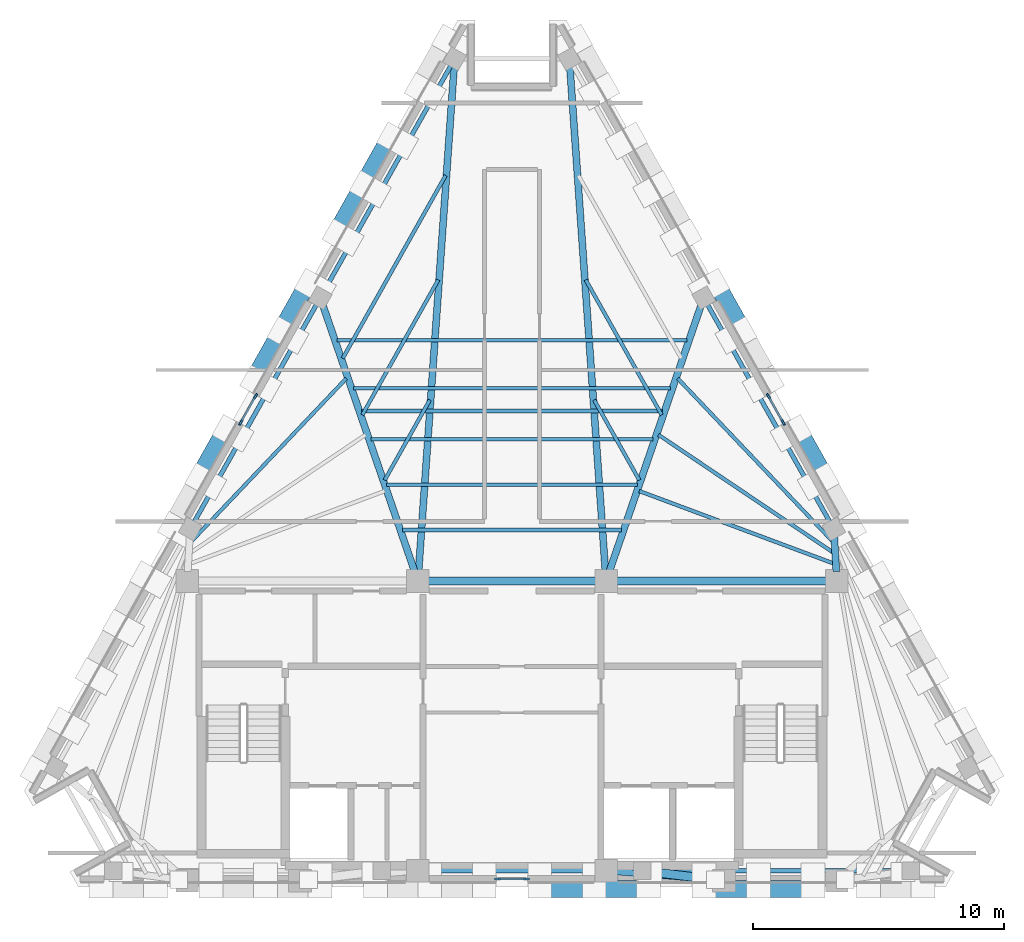
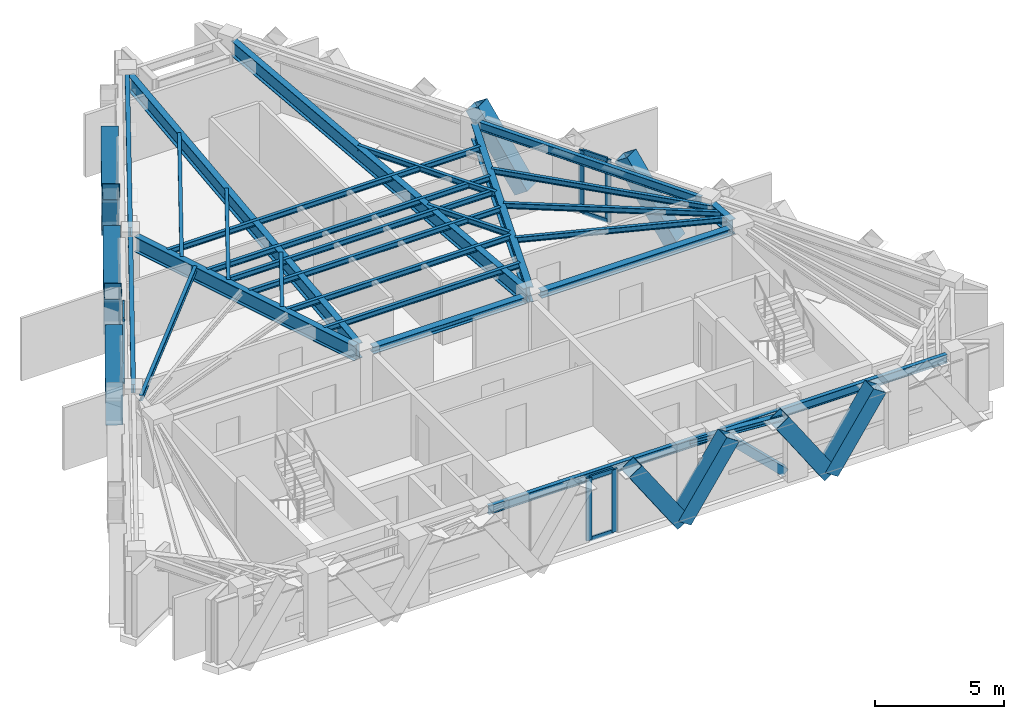
# One storey, part 2 of 7: 28 beams, 24 members, 3 elements without a shape of their own.
"""IFC4 building model written with IfcOpenShell, lengths in metres."""

from ifc_helpers import new_model, si_unit, direction, frame, origin, origin_2d, place, context, subcontext, project, spatial, rectangle, hollow_rectangle, i_section, extrude, material, material_profile, profile_set, type_object, element, aggregate, save


model = new_model("IFC4")

# Units and contexts
model_context = context("Model", 3, precision=1e-05, world=origin(), true_north=direction((0.0, 1.0)))
body_context = subcontext(model_context, "Body", "Model", "MODEL_VIEW")
ifc_project = project(units=[si_unit("LENGTHUNIT", "METRE"), si_unit("AREAUNIT", "SQUARE_METRE"), si_unit("VOLUMEUNIT", "CUBIC_METRE"), si_unit("PLANEANGLEUNIT", "RADIAN"), si_unit("MASSUNIT", "GRAM", prefix="KILO")], contexts=[model_context])

# Site, building, storey
site_placement = place(None, origin())
site = spatial("IfcSite", under=ifc_project, at=site_placement, CompositionType="ELEMENT")
building_placement = place(site_placement, origin())
building = spatial("IfcBuilding", under=site, at=building_placement, Name="Quenlor Broadcast Tower", CompositionType="ELEMENT")
storey_placement = place(building_placement, frame((0.0, 0.0, 280.5)))
storey = spatial("IfcBuildingStorey", under=building, at=storey_placement, Name="L78", CompositionType="ELEMENT", Elevation=280.5)

# Curtain wall, members
ifc_material_1 = material(Name="Architectural Terracotta and Low-E Glazing", Category="masonry")
curtain_wall_type = type_object("IfcCurtainWallType", Name="Station Concourse and Crown Terracotta Curtain Wall", PredefinedType="NOTDEFINED", material=ifc_material_1)
curtain_wall_1_placement = place(storey_placement, origin())
curtain_wall_1 = element("IfcCurtainWall", 1, at=curtain_wall_1_placement, inside=storey, type_object=curtain_wall_type, Name="L78 Curtain Wall CW6 (L78-S-G1)", PredefinedType="NOTDEFINED")
ifc_material_2 = material(Name="Aluminium 6063-T6", Category="aluminium")
ifc_material_profile_1 = material_profile(ifc_material_2, rectangle(XDim=0.08203125, YDim=0.239990234375, at=origin_2d()))
ifc_profile_set_1 = profile_set([ifc_material_profile_1], Name="Aluminium 6063-T6 MULL82x240")
member_type_1 = type_object("IfcMemberType", Name="CW6 Aluminium Mullion MULL_CW6", PredefinedType="MULLION", material=ifc_profile_set_1)
member_1_placement = place(storey_placement, frame((0.573974609375, -16.675048828125, 0.0), z_axis=(0.0, 0.0, 1.0), x_axis=(0.0, -1.0, 0.0)))
member_1 = element("IfcMember", 2, at=member_1_placement, type_object=member_type_1, Name="CW6 mullion 1", PredefinedType="MULLION", context=body_context, shape_type="SweptSolid", body=[
    extrude(rectangle(XDim=0.08203125, YDim=0.239990234375, at=origin_2d()), origin(), (0.0, 0.0, 1.0), 2.949951171875),
])
member_2_placement = place(storey_placement, frame((-0.573974609375, -16.675048828125, 0.0), z_axis=(0.0, 0.0, 1.0), x_axis=(0.0, -1.0, 0.0)))
member_2 = element("IfcMember", 3, at=member_2_placement, type_object=member_type_1, Name="CW6 mullion 2", PredefinedType="MULLION", context=body_context, shape_type="SweptSolid", body=[
    extrude(rectangle(XDim=0.08203125, YDim=0.239990234375, at=origin_2d()), origin(), (0.0, 0.0, 1.0), 2.949951171875),
])

curtain_wall_2_placement = place(storey_placement, origin())
curtain_wall_2 = element("IfcCurtainWall", 4, at=curtain_wall_2_placement, inside=storey, type_object=curtain_wall_type, Name="L78 Curtain Wall CW6 (L78-NE-G1)", PredefinedType="NOTDEFINED")
member_3_placement = place(storey_placement, frame((10.22314453125, 2.5625, 0.0), z_axis=(0.0, 0.0, 1.0), x_axis=(0.871552571349, 0.490302065441, 0.0)))
member_3 = element("IfcMember", 5, at=member_3_placement, type_object=member_type_1, Name="CW6 mullion 1", PredefinedType="MULLION", context=body_context, shape_type="SweptSolid", body=[
    extrude(rectangle(XDim=0.08203125, YDim=0.239990234375, at=origin_2d()), origin(), (0.0, 0.0, 1.0), 2.949951171875),
])
member_4_placement = place(storey_placement, frame((10.810302734375, 1.51904296875, 0.0), z_axis=(0.0, 0.0, 1.0), x_axis=(0.871552571349, 0.490302065441, 0.0)))
member_4 = element("IfcMember", 6, at=member_4_placement, type_object=member_type_1, Name="CW6 mullion 2", PredefinedType="MULLION", context=body_context, shape_type="SweptSolid", body=[
    extrude(rectangle(XDim=0.08203125, YDim=0.239990234375, at=origin_2d()), origin(), (0.0, 0.0, 1.0), 2.949951171875),
])

curtain_wall_3_placement = place(storey_placement, origin())
curtain_wall_3 = element("IfcCurtainWall", 7, at=curtain_wall_3_placement, inside=storey, type_object=curtain_wall_type, Name="L78 Curtain Wall CW6 (L78-NW-G1)", PredefinedType="NOTDEFINED")
member_5_placement = place(storey_placement, frame((-10.810302734375, 1.51904296875, 0.0), z_axis=(0.0, 0.0, 1.0), x_axis=(-0.871552571349, 0.490302065441, 0.0)))
member_5 = element("IfcMember", 8, at=member_5_placement, type_object=member_type_1, Name="CW6 mullion 1", PredefinedType="MULLION", context=body_context, shape_type="SweptSolid", body=[
    extrude(rectangle(XDim=0.08203125, YDim=0.239990234375, at=origin_2d()), origin(), (0.0, 0.0, 1.0), 2.949951171875),
])
member_6_placement = place(storey_placement, frame((-10.22314453125, 2.5625, 0.0), z_axis=(0.0, 0.0, 1.0), x_axis=(-0.871552571349, 0.490302065441, 0.0)))
member_6 = element("IfcMember", 9, at=member_6_placement, type_object=member_type_1, Name="CW6 mullion 2", PredefinedType="MULLION", context=body_context, shape_type="SweptSolid", body=[
    extrude(rectangle(XDim=0.08203125, YDim=0.239990234375, at=origin_2d()), origin(), (0.0, 0.0, 1.0), 2.949951171875),
])

# Member
ifc_material_3 = material(Name="Aluminium 6063-T6", Category="aluminium")
ifc_material_profile_2 = material_profile(ifc_material_3, rectangle(XDim=0.08203125, YDim=0.195068359375, at=origin_2d()))
ifc_profile_set_2 = profile_set([ifc_material_profile_2], Name="Aluminium 6063-T6 TRAN82x195")
member_type_2 = type_object("IfcMemberType", Name="CW6 Aluminium Transom TRAN_CW6", PredefinedType="USERDEFINED", material=ifc_profile_set_2)
member_7_placement = place(storey_placement, frame((0.532958984375, -16.675048828125, 0.041015625), z_axis=(-1.0, 0.0, 0.0), x_axis=(0.0, -1.0, 0.0)))
member_7 = element("IfcMember", 10, at=member_7_placement, type_object=member_type_2, Name="CW6 transom 1.1", ObjectType="TRANSOM", PredefinedType="USERDEFINED", context=body_context, shape_type="SweptSolid", body=[
    extrude(rectangle(XDim=0.08203125, YDim=0.195068359375, at=origin_2d()), origin(), (0.0, 0.0, 1.0), 1.06591796875),
])

member_8_placement = place(storey_placement, frame((0.532958984375, -16.675048828125, 2.908935546875), z_axis=(-1.0, 0.0, 0.0), x_axis=(0.0, -1.0, 0.0)))
member_8 = element("IfcMember", 11, at=member_8_placement, type_object=member_type_2, Name="CW6 transom 1.2", ObjectType="TRANSOM", PredefinedType="USERDEFINED", context=body_context, shape_type="SweptSolid", body=[
    extrude(rectangle(XDim=0.08203125, YDim=0.195068359375, at=origin_2d()), origin(), (0.0, 0.0, 1.0), 1.06591796875),
])

aggregate(curtain_wall_1, [member_1, member_2, member_7, member_8])

member_9_placement = place(storey_placement, frame((10.243408203125, 2.526611328125, 0.041015625), z_axis=(0.490209264597, -0.871604771042, 0.0), x_axis=(0.871604771042, 0.490209264597, 0.0)))
member_9 = element("IfcMember", 12, at=member_9_placement, type_object=member_type_2, Name="CW6 transom 1.1", ObjectType="TRANSOM", PredefinedType="USERDEFINED", context=body_context, shape_type="SweptSolid", body=[
    extrude(rectangle(XDim=0.08203125, YDim=0.195068359375, at=origin_2d()), origin(), (0.0, 0.0, 1.0), 1.114990234375),
])

member_10_placement = place(storey_placement, frame((10.243408203125, 2.526611328125, 2.908935546875), z_axis=(0.490209264597, -0.871604771042, 0.0), x_axis=(0.871604771042, 0.490209264597, 0.0)))
member_10 = element("IfcMember", 13, at=member_10_placement, type_object=member_type_2, Name="CW6 transom 1.2", ObjectType="TRANSOM", PredefinedType="USERDEFINED", context=body_context, shape_type="SweptSolid", body=[
    extrude(rectangle(XDim=0.08203125, YDim=0.195068359375, at=origin_2d()), origin(), (0.0, 0.0, 1.0), 1.114990234375),
])

aggregate(curtain_wall_2, [member_3, member_4, member_9, member_10])

member_11_placement = place(storey_placement, frame((-10.7900390625, 1.5546875, 0.041015625), z_axis=(0.490209264597, 0.871604771042, 0.0), x_axis=(-0.871604771042, 0.490209264597, 0.0)))
member_11 = element("IfcMember", 14, at=member_11_placement, type_object=member_type_2, Name="CW6 transom 1.1", ObjectType="TRANSOM", PredefinedType="USERDEFINED", context=body_context, shape_type="SweptSolid", body=[
    extrude(rectangle(XDim=0.08203125, YDim=0.195068359375, at=origin_2d()), origin(), (0.0, 0.0, 1.0), 1.114990234375),
])

member_12_placement = place(storey_placement, frame((-10.7900390625, 1.5546875, 2.908935546875), z_axis=(0.490209264597, 0.871604771042, 0.0), x_axis=(-0.871604771042, 0.490209264597, 0.0)))
member_12 = element("IfcMember", 15, at=member_12_placement, type_object=member_type_2, Name="CW6 transom 1.2", ObjectType="TRANSOM", PredefinedType="USERDEFINED", context=body_context, shape_type="SweptSolid", body=[
    extrude(rectangle(XDim=0.08203125, YDim=0.195068359375, at=origin_2d()), origin(), (0.0, 0.0, 1.0), 1.114990234375),
])

aggregate(curtain_wall_3, [member_5, member_6, member_11, member_12])

# Beams
ifc_material_4 = material(Name="Steel S355", Category="steel")
ifc_material_profile_3 = material_profile(ifc_material_4, i_section(OverallWidth=0.304931640625, OverallDepth=0.30810546875, WebThickness=0.010009765625, FlangeThickness=0.015380859375, FilletRadius=0.0166015625, at=origin_2d()))
ifc_profile_set_3 = profile_set([ifc_material_profile_3], Name="Steel S355 310UC96.8")
beam_type_1 = type_object("IfcBeamType", Name="Core Header Beam Steel S355 310UC96.8", PredefinedType="BEAM", material=ifc_profile_set_3)
beam_1_placement = place(storey_placement, frame((-3.389892578125, -4.800048828125, 2.7958984375), z_axis=(1.0, 0.0, 0.0), x_axis=(0.0, 1.0, 0.0)))
element("IfcBeam", 16, at=beam_1_placement, inside=storey, type_object=beam_type_1, Name="L78 Core Header Beam 2", PredefinedType="BEAM", context=body_context, shape_type="SweptSolid", body=[
    extrude(i_section(OverallWidth=0.304931640625, OverallDepth=0.30810546875, WebThickness=0.010009765625, FlangeThickness=0.015380859375, FilletRadius=0.0166015625, at=origin_2d()), origin(), (0.0, 0.0, 1.0), 6.77978515625),
])
ifc_material_5 = material(Name="Steel S355", Category="steel")
ifc_material_profile_4 = material_profile(ifc_material_5, i_section(OverallWidth=0.25390625, OverallDepth=0.25390625, WebThickness=0.008544921875, FlangeThickness=0.01416015625, FilletRadius=0.013916015625, at=origin_2d()))
ifc_profile_set_4 = profile_set([ifc_material_profile_4], Name="Steel S355 250UC72.9")
beam_type_2 = type_object("IfcBeamType", Name="Core Opening Lintel Beam Steel S355 250UC72.9", PredefinedType="LINTEL", material=ifc_profile_set_4)
beam_2_placement = place(storey_placement, frame((4.108642578125, -16.380615234375, 2.822998046875), z_axis=(0.996399763903, -0.084779186679, 0.0), x_axis=(0.084779186679, 0.996399763903, 0.0)))
element("IfcBeam", 17, at=beam_2_placement, inside=storey, type_object=beam_type_2, Name="L78 Core Opening Lintel Beam 5", PredefinedType="LINTEL", context=body_context, shape_type="SweptSolid", body=[
    extrude(i_section(OverallWidth=0.25390625, OverallDepth=0.25390625, WebThickness=0.008544921875, FlangeThickness=0.01416015625, FilletRadius=0.013916015625, at=origin_2d()), origin(), (0.0, 0.0, 1.0), 3.9970703125),
])
ifc_material_6 = material(Name="Steel S355", Category="steel")
ifc_material_profile_5 = material_profile(ifc_material_6, i_section(OverallWidth=0.306884765625, OverallDepth=0.314697265625, WebThickness=0.011962890625, FlangeThickness=0.018798828125, FilletRadius=0.0166015625, at=origin_2d()))
ifc_profile_set_5 = profile_set([ifc_material_profile_5], Name="Steel S355 310UC118")
beam_type_3 = type_object("IfcBeamType", Name="Core Tie Beam Steel S355 310UC118", PredefinedType="BEAM", material=ifc_profile_set_5)
beam_3_placement = place(storey_placement, frame((4.110107421875, -4.800048828125, 2.792724609375), z_axis=(1.0, 0.0, 0.0), x_axis=(0.0, 1.0, 0.0)))
element("IfcBeam", 18, at=beam_3_placement, inside=storey, type_object=beam_type_3, Name="L78 Core Tie Beam 3", PredefinedType="BEAM", context=body_context, shape_type="SweptSolid", body=[
    extrude(i_section(OverallWidth=0.306884765625, OverallDepth=0.314697265625, WebThickness=0.011962890625, FlangeThickness=0.018798828125, FilletRadius=0.0166015625, at=origin_2d()), origin(), (0.0, 0.0, 1.0), 8.47998046875),
])
ifc_material_7 = material(Name="Steel S355", Category="steel")
ifc_material_profile_6 = material_profile(ifc_material_7, i_section(OverallWidth=0.14599609375, OverallDepth=0.256103515625, WebThickness=0.00634765625, FlangeThickness=0.010986328125, FilletRadius=0.0087890625, at=origin_2d()))
ifc_profile_set_6 = profile_set([ifc_material_profile_6], Name="Steel S355 250UB37.3")
beam_type_4 = type_object("IfcBeamType", Name="Crown Deck Joist Steel S355 250UB37.3", PredefinedType="JOIST", material=ifc_profile_set_6)
beam_4_placement = place(storey_placement, frame((-4.37060546875, -2.767822265625, 2.822021484375), z_axis=(1.0, 0.0, 0.0), x_axis=(0.0, 1.0, 0.0)))
element("IfcBeam", 19, at=beam_4_placement, inside=storey, type_object=beam_type_4, Name="L78 Secondary Composite Joist 1", PredefinedType="JOIST", context=body_context, shape_type="SweptSolid", body=[
    extrude(i_section(OverallWidth=0.14599609375, OverallDepth=0.256103515625, WebThickness=0.00634765625, FlangeThickness=0.010986328125, FilletRadius=0.0087890625, at=origin_2d()), origin(), (0.0, 0.0, 1.0), 8.7412109375),
])
beam_5_placement = place(storey_placement, frame((-6.0048828125, 1.9736328125, 2.822021484375), z_axis=(1.0, 0.0, 0.0), x_axis=(0.0, 1.0, 0.0)))
element("IfcBeam", 20, at=beam_5_placement, inside=storey, type_object=beam_type_4, Name="L78 Secondary Composite Joist 2", PredefinedType="JOIST", context=body_context, shape_type="SweptSolid", body=[
    extrude(i_section(OverallWidth=0.14599609375, OverallDepth=0.256103515625, WebThickness=0.00634765625, FlangeThickness=0.010986328125, FilletRadius=0.0087890625, at=origin_2d()), origin(), (0.0, 0.0, 1.0), 12.009765625),
])
beam_6_placement = place(storey_placement, frame((-4.9931640625, -0.961669921875, 2.822021484375), z_axis=(1.0, 0.0, 0.0), x_axis=(0.0, 1.0, 0.0)))
element("IfcBeam", 21, at=beam_6_placement, inside=storey, type_object=beam_type_4, Name="L78 Secondary Composite Joist 3", PredefinedType="JOIST", context=body_context, shape_type="SweptSolid", body=[
    extrude(i_section(OverallWidth=0.14599609375, OverallDepth=0.256103515625, WebThickness=0.00634765625, FlangeThickness=0.010986328125, FilletRadius=0.0087890625, at=origin_2d()), origin(), (0.0, 0.0, 1.0), 9.986328125),
])
beam_7_placement = place(storey_placement, frame((-5.61572265625, 0.8447265625, 2.822021484375), z_axis=(1.0, 0.0, 0.0), x_axis=(0.0, 1.0, 0.0)))
element("IfcBeam", 22, at=beam_7_placement, inside=storey, type_object=beam_type_4, Name="L78 Secondary Composite Joist 4", PredefinedType="JOIST", context=body_context, shape_type="SweptSolid", body=[
    extrude(i_section(OverallWidth=0.14599609375, OverallDepth=0.256103515625, WebThickness=0.00634765625, FlangeThickness=0.010986328125, FilletRadius=0.0087890625, at=origin_2d()), origin(), (0.0, 0.0, 1.0), 11.2314453125),
])
beam_8_placement = place(storey_placement, frame((-6.316162109375, 2.876708984375, 2.822021484375), z_axis=(1.0, 0.0, 0.0), x_axis=(0.0, 1.0, 0.0)))
element("IfcBeam", 23, at=beam_8_placement, inside=storey, type_object=beam_type_4, Name="L78 Secondary Composite Joist 5", PredefinedType="JOIST", context=body_context, shape_type="SweptSolid", body=[
    extrude(i_section(OverallWidth=0.14599609375, OverallDepth=0.256103515625, WebThickness=0.00634765625, FlangeThickness=0.010986328125, FilletRadius=0.0087890625, at=origin_2d()), origin(), (0.0, 0.0, 1.0), 12.63232421875),
])
beam_9_placement = place(storey_placement, frame((-6.977783203125, 4.7958984375, 2.822021484375), z_axis=(1.0, 0.0, 0.0), x_axis=(0.0, 1.0, 0.0)))
element("IfcBeam", 24, at=beam_9_placement, inside=storey, type_object=beam_type_4, Name="L78 Secondary Composite Joist 6", PredefinedType="JOIST", context=body_context, shape_type="SweptSolid", body=[
    extrude(i_section(OverallWidth=0.14599609375, OverallDepth=0.256103515625, WebThickness=0.00634765625, FlangeThickness=0.010986328125, FilletRadius=0.0087890625, at=origin_2d()), origin(), (0.0, 0.0, 1.0), 13.95556640625),
])
beam_10_placement = place(storey_placement, frame((-12.80517578125, -3.249267578125, 2.822021484375), z_axis=(0.689023306429, 0.724739182877, 0.0), x_axis=(-0.724739182877, 0.689023306429, 0.0)))
element("IfcBeam", 25, at=beam_10_placement, inside=storey, type_object=beam_type_4, Name="L78 Secondary Composite Joist 9", PredefinedType="JOIST", context=body_context, shape_type="SweptSolid", body=[
    extrude(i_section(OverallWidth=0.14599609375, OverallDepth=0.256103515625, WebThickness=0.00634765625, FlangeThickness=0.010986328125, FilletRadius=0.0087890625, at=origin_2d()), origin(), (0.0, 0.0, 1.0), 8.99560546875),
])
beam_11_placement = place(storey_placement, frame((12.835205078125, -4.108642578125, 2.822021484375), z_axis=(-0.937062080226, 0.349162795559, 0.0), x_axis=(-0.349162795559, -0.937062080226, 0.0)))
element("IfcBeam", 26, at=beam_11_placement, inside=storey, type_object=beam_type_4, Name="L78 Secondary Composite Joist 10", PredefinedType="JOIST", context=body_context, shape_type="SweptSolid", body=[
    extrude(i_section(OverallWidth=0.14599609375, OverallDepth=0.256103515625, WebThickness=0.00634765625, FlangeThickness=0.010986328125, FilletRadius=0.0087890625, at=origin_2d()), origin(), (0.0, 0.0, 1.0), 8.286376953125),
])
beam_12_placement = place(storey_placement, frame((12.81884765625, -3.67724609375, 2.822021484375), z_axis=(-0.829286301475, 0.558823970661, 0.0), x_axis=(-0.558823970661, -0.829286301475, 0.0)))
element("IfcBeam", 27, at=beam_12_placement, inside=storey, type_object=beam_type_4, Name="L78 Secondary Composite Joist 11", PredefinedType="JOIST", context=body_context, shape_type="SweptSolid", body=[
    extrude(i_section(OverallWidth=0.14599609375, OverallDepth=0.256103515625, WebThickness=0.00634765625, FlangeThickness=0.010986328125, FilletRadius=0.0087890625, at=origin_2d()), origin(), (0.0, 0.0, 1.0), 8.415771484375),
])
beam_13_placement = place(storey_placement, frame((12.80517578125, -3.249267578125, 2.822021484375), z_axis=(-0.689023306429, 0.724739182877, 0.0), x_axis=(-0.724739182877, -0.689023306429, 0.0)))
element("IfcBeam", 28, at=beam_13_placement, inside=storey, type_object=beam_type_4, Name="L78 Secondary Composite Joist 12", PredefinedType="JOIST", context=body_context, shape_type="SweptSolid", body=[
    extrude(i_section(OverallWidth=0.14599609375, OverallDepth=0.256103515625, WebThickness=0.00634765625, FlangeThickness=0.010986328125, FilletRadius=0.0087890625, at=origin_2d()), origin(), (0.0, 0.0, 1.0), 8.99560546875),
])
beam_14_placement = place(storey_placement, frame((-3.2763671875, 2.41455078125, 2.822021484375), z_axis=(-0.490258076222, -0.871577316535, 0.0), x_axis=(0.871577316535, -0.490258076222, 0.0)))
element("IfcBeam", 29, at=beam_14_placement, inside=storey, type_object=beam_type_4, Name="L78 Secondary Composite Joist 25", PredefinedType="JOIST", context=body_context, shape_type="SweptSolid", body=[
    extrude(i_section(OverallWidth=0.14599609375, OverallDepth=0.256103515625, WebThickness=0.00634765625, FlangeThickness=0.010986328125, FilletRadius=0.0087890625, at=origin_2d()), origin(), (0.0, 0.0, 1.0), 3.6640625),
])
beam_15_placement = place(storey_placement, frame((-2.939208984375, 7.201416015625, 2.822021484375), z_axis=(-0.490266868828, -0.871572370678, 0.0), x_axis=(0.871572370678, -0.490266868828, 0.0)))
element("IfcBeam", 30, at=beam_15_placement, inside=storey, type_object=beam_type_4, Name="L78 Secondary Composite Joist 26", PredefinedType="JOIST", context=body_context, shape_type="SweptSolid", body=[
    extrude(i_section(OverallWidth=0.14599609375, OverallDepth=0.256103515625, WebThickness=0.00634765625, FlangeThickness=0.010986328125, FilletRadius=0.0087890625, at=origin_2d()), origin(), (0.0, 0.0, 1.0), 6.177490234375),
])
beam_16_placement = place(storey_placement, frame((-2.646240234375, 11.364013671875, 2.822021484375), z_axis=(-0.490264011812, -0.871573977768, 0.0), x_axis=(0.871573977768, -0.490264011812, 0.0)))
element("IfcBeam", 31, at=beam_16_placement, inside=storey, type_object=beam_type_4, Name="L78 Secondary Composite Joist 27", PredefinedType="JOIST", context=body_context, shape_type="SweptSolid", body=[
    extrude(i_section(OverallWidth=0.14599609375, OverallDepth=0.256103515625, WebThickness=0.00634765625, FlangeThickness=0.010986328125, FilletRadius=0.0087890625, at=origin_2d()), origin(), (0.0, 0.0, 1.0), 8.362548828125),
])
beam_17_placement = place(storey_placement, frame((3.2763671875, 2.41455078125, 2.822021484375), z_axis=(0.490258076222, -0.871577316535, 0.0), x_axis=(0.871577316535, 0.490258076222, 0.0)))
element("IfcBeam", 32, at=beam_17_placement, inside=storey, type_object=beam_type_4, Name="L78 Secondary Composite Joist 28", PredefinedType="JOIST", context=body_context, shape_type="SweptSolid", body=[
    extrude(i_section(OverallWidth=0.14599609375, OverallDepth=0.256103515625, WebThickness=0.00634765625, FlangeThickness=0.010986328125, FilletRadius=0.0087890625, at=origin_2d()), origin(), (0.0, 0.0, 1.0), 3.6640625),
])
beam_18_placement = place(storey_placement, frame((2.939208984375, 7.201416015625, 2.822021484375), z_axis=(0.490266868828, -0.871572370678, 0.0), x_axis=(0.871572370678, 0.490266868828, 0.0)))
element("IfcBeam", 33, at=beam_18_placement, inside=storey, type_object=beam_type_4, Name="L78 Secondary Composite Joist 29", PredefinedType="JOIST", context=body_context, shape_type="SweptSolid", body=[
    extrude(i_section(OverallWidth=0.14599609375, OverallDepth=0.256103515625, WebThickness=0.00634765625, FlangeThickness=0.010986328125, FilletRadius=0.0087890625, at=origin_2d()), origin(), (0.0, 0.0, 1.0), 6.177490234375),
])
ifc_material_8 = material(Name="Steel S355", Category="steel")
ifc_material_profile_7 = material_profile(ifc_material_8, i_section(OverallWidth=0.27490234375, OverallDepth=0.716064453125, WebThickness=0.013916015625, FlangeThickness=0.02490234375, FilletRadius=0.013916015625, at=origin_2d()))
ifc_profile_set_7 = profile_set([ifc_material_profile_7], Name="Steel S355 700WB173")
beam_type_5 = type_object("IfcBeamType", Name="Crown Plant Ring Girder Steel S355 700WB173", PredefinedType="BEAM", material=ifc_profile_set_7)
beam_19_placement = place(storey_placement, frame((12.843994140625, -3.0361328125, 2.592041015625), z_axis=(0.060022076178, -0.998197049871, 0.0), x_axis=(0.998197049871, 0.060022076178, 0.0)))
element("IfcBeam", 34, at=beam_19_placement, inside=storey, type_object=beam_type_5, Name="L78 Primary Radial Beam NE2", PredefinedType="BEAM", context=body_context, shape_type="SweptSolid", body=[
    extrude(i_section(OverallWidth=0.27490234375, OverallDepth=0.716064453125, WebThickness=0.013916015625, FlangeThickness=0.02490234375, FilletRadius=0.013916015625, at=origin_2d()), origin(), (0.0, 0.0, 1.0), 1.386962890625),
])
beam_20_placement = place(storey_placement, frame((7.54052734375, 6.1962890625, 2.592041015625), z_axis=(-0.325897728726, -0.945405029821, 0.0), x_axis=(0.945405029821, -0.325897728726, 0.0)))
element("IfcBeam", 35, at=beam_20_placement, inside=storey, type_object=beam_type_5, Name="L78 Primary Radial Beam NE3", PredefinedType="BEAM", context=body_context, shape_type="SweptSolid", body=[
    extrude(i_section(OverallWidth=0.27490234375, OverallDepth=0.716064453125, WebThickness=0.013916015625, FlangeThickness=0.02490234375, FilletRadius=0.013916015625, at=origin_2d()), origin(), (0.0, 0.0, 1.0), 11.251220703125),
])
for number, where, z_axis, x_axis, name in (
    (36, (2.306396484375, 15.703369140625, 2.592041015625), (0.070238211714, -0.997530246968, 0.0), (0.997530246968, 0.070238211714, 0.0), "L78 Primary Radial Beam NE4"),
    (37, (-2.306396484375, 15.703369140625, 2.592041015625), (-0.070238211714, -0.997530246968, 0.0), (0.997530246968, -0.070238211714, 0.0), "L78 Primary Radial Beam NW1"),
):
    element("IfcBeam", number, at=place(storey_placement, frame(where, z_axis=z_axis, x_axis=x_axis)), inside=storey, type_object=beam_type_5, Name=name, PredefinedType="BEAM", context=body_context, shape_type="SweptSolid", body=[
        extrude(i_section(OverallWidth=0.27490234375, OverallDepth=0.716064453125, WebThickness=0.013916015625, FlangeThickness=0.02490234375, FilletRadius=0.013916015625, at=origin_2d()), origin(), (0.0, 0.0, 1.0), 20.174072265625),
    ])
beam_21_placement = place(storey_placement, frame((-7.54052734375, 6.1962890625, 2.592041015625), z_axis=(0.325897728726, -0.945405029821, 0.0), x_axis=(0.945405029821, 0.325897728726, 0.0)))
element("IfcBeam", 38, at=beam_21_placement, inside=storey, type_object=beam_type_5, Name="L78 Primary Radial Beam NW2", PredefinedType="BEAM", context=body_context, shape_type="SweptSolid", body=[
    extrude(i_section(OverallWidth=0.27490234375, OverallDepth=0.716064453125, WebThickness=0.013916015625, FlangeThickness=0.02490234375, FilletRadius=0.013916015625, at=origin_2d()), origin(), (0.0, 0.0, 1.0), 11.251220703125),
])

# Members
ifc_material_9 = material(Name="Steel S355", Category="steel")
ifc_material_profile_8 = material_profile(ifc_material_9, hollow_rectangle(XDim=0.35009765625, YDim=0.35009765625, WallThickness=0.02001953125, at=origin_2d()))
ifc_profile_set_8 = profile_set([ifc_material_profile_8], Name="Steel S355 RHS350x350x20")
member_type_3 = type_object("IfcMemberType", Name="Crown Sloped Raking Chord Steel S355 RHS350x20", PredefinedType="CHORD", material=ifc_profile_set_8)
member_13_placement = place(storey_placement, frame((8.112548828125, -16.708740234375, 0.25), z_axis=(-0.72220052685, 0.08846855154, 0.686002707288), x_axis=(-0.12158971239, -0.99258044603, 0.0)))
element("IfcMember", 39, at=member_13_placement, inside=storey, type_object=member_type_3, Name="L78 Crown Plant Bracing Chord 4", PredefinedType="CHORD", context=body_context, shape_type="SweptSolid", body=[
    extrude(hollow_rectangle(XDim=0.35009765625, YDim=0.35009765625, WallThickness=0.02001953125, at=origin_2d()), origin(), (0.0, 0.0, 1.0), 3.615234375),
])
ifc_material_10 = material(Name="Steel S355", Category="steel")
ifc_material_profile_9 = material_profile(ifc_material_10, hollow_rectangle(XDim=0.679931640625, YDim=0.679931640625, WallThickness=0.02001953125, at=origin_2d()))
ifc_profile_set_9 = profile_set([ifc_material_profile_9], Name="Steel S355 RHS680x680x20")
member_type_4 = type_object("IfcMemberType", Name="Perimeter Diagonal Lattice Brace Z5-Crown Steel S355 RHS680x20", PredefinedType="BRACE", material=ifc_profile_set_9)
member_14_placement = place(storey_placement, frame((9.841064453125, -17.070068359375, -0.1201171875), z_axis=(0.559042573529, 0.0, 0.829138951553), x_axis=(0.0, 1.0, 0.0)))
element("IfcMember", 40, at=member_14_placement, inside=storey, type_object=member_type_4, Name="L78 Perimeter Diamond Lattice S-C1B", PredefinedType="BRACE", context=body_context, shape_type="SweptSolid", body=[
    extrude(hollow_rectangle(XDim=0.679931640625, YDim=0.679931640625, WallThickness=0.02001953125, at=origin_2d()), origin(), (0.0, 0.0, 1.0), 3.859619140625),
])
for number, where, z_axis, x_axis, name in (
    (41, (9.81494140625, -17.070068359375, -0.1201171875), (-0.559086056828, 0.0, 0.829109631509), (0.0, -1.0, 0.0), "L78 Perimeter Diamond Lattice S-C2S"),
    (42, (3.2890625, -17.070068359375, -0.1201171875), (0.559086056828, 0.0, 0.829109631509), (0.0, 1.0, 0.0), "L78 Perimeter Diamond Lattice S-C2B"),
    (43, (3.262939453125, -17.070068359375, -0.1201171875), (-0.559086056828, 0.0, 0.829109631509), (0.0, -1.0, 0.0), "L78 Perimeter Diamond Lattice S-C3S"),
):
    element("IfcMember", number, at=place(storey_placement, frame(where, z_axis=z_axis, x_axis=x_axis)), inside=storey, type_object=member_type_4, Name=name, PredefinedType="BRACE", context=body_context, shape_type="SweptSolid", body=[
        extrude(hollow_rectangle(XDim=0.679931640625, YDim=0.679931640625, WallThickness=0.02001953125, at=origin_2d()), origin(), (0.0, 0.0, 1.0), 3.85986328125),
    ])
for number, where, z_axis, x_axis, name in (
    (44, (9.214599609375, 5.1611328125, -0.1201171875), (-0.277997364392, 0.494224518748, 0.823686585092), (-0.871578496623, -0.490255978266, 0.0), "L78 Perimeter Diamond Lattice NE-C2B"),
    (45, (12.494140625, -0.669189453125, -0.1201171875), (-0.277997364392, 0.494224518748, 0.823686585092), (-0.871578496623, -0.490255978266, 0.0), "L78 Perimeter Diamond Lattice NE-C3B"),
    (46, (-12.494140625, -0.669189453125, -0.1201171875), (0.277997364392, 0.494224518748, 0.823686585092), (-0.871578496623, 0.490255978266, 0.0), "L78 Perimeter Diamond Lattice NW-C3S"),
):
    element("IfcMember", number, at=place(storey_placement, frame(where, z_axis=z_axis, x_axis=x_axis)), inside=storey, type_object=member_type_4, Name=name, PredefinedType="BRACE", context=body_context, shape_type="SweptSolid", body=[
        extrude(hollow_rectangle(XDim=0.679931640625, YDim=0.679931640625, WallThickness=0.02001953125, at=origin_2d()), origin(), (0.0, 0.0, 1.0), 3.88525390625),
    ])
member_15_placement = place(storey_placement, frame((-9.227783203125, 5.1376953125, -0.1201171875), z_axis=(-0.278005997817, -0.494177026861, 0.823712165323), x_axis=(0.87155185771, -0.490303333991, 0.0)))
element("IfcMember", 47, at=member_15_placement, inside=storey, type_object=member_type_4, Name="L78 Perimeter Diamond Lattice NW-C3B", PredefinedType="BRACE", context=body_context, shape_type="SweptSolid", body=[
    extrude(hollow_rectangle(XDim=0.679931640625, YDim=0.679931640625, WallThickness=0.02001953125, at=origin_2d()), origin(), (0.0, 0.0, 1.0), 3.885009765625),
])
member_16_placement = place(storey_placement, frame((-9.214599609375, 5.1611328125, -0.1201171875), z_axis=(0.277997364392, 0.494224518748, 0.823686585092), x_axis=(-0.871578496623, 0.490255978266, 0.0)))
element("IfcMember", 48, at=member_16_placement, inside=storey, type_object=member_type_4, Name="L78 Perimeter Diamond Lattice NW-C4S", PredefinedType="BRACE", context=body_context, shape_type="SweptSolid", body=[
    extrude(hollow_rectangle(XDim=0.679931640625, YDim=0.679931640625, WallThickness=0.02001953125, at=origin_2d()), origin(), (0.0, 0.0, 1.0), 3.88525390625),
])
member_17_placement = place(storey_placement, frame((-5.9482421875, 10.968017578125, -0.1201171875), z_axis=(-0.278005997817, -0.494177026861, 0.823712165323), x_axis=(0.87155185771, -0.490303333991, 0.0)))
element("IfcMember", 49, at=member_17_placement, inside=storey, type_object=member_type_4, Name="L78 Perimeter Diamond Lattice NW-C4B", PredefinedType="BRACE", context=body_context, shape_type="SweptSolid", body=[
    extrude(hollow_rectangle(XDim=0.679931640625, YDim=0.679931640625, WallThickness=0.02001953125, at=origin_2d()), origin(), (0.0, 0.0, 1.0), 3.885009765625),
])
member_18_placement = place(storey_placement, frame((-5.935302734375, 10.991455078125, -0.1201171875), z_axis=(0.27805534502, 0.494215884426, 0.823672194921), x_axis=(-0.871531143255, 0.490340153707, 0.0)))
element("IfcMember", 50, at=member_18_placement, inside=storey, type_object=member_type_4, Name="L78 Perimeter Diamond Lattice NW-C5S", PredefinedType="BRACE", context=body_context, shape_type="SweptSolid", body=[
    extrude(hollow_rectangle(XDim=0.679931640625, YDim=0.679931640625, WallThickness=0.02001953125, at=origin_2d()), origin(), (0.0, 0.0, 1.0), 3.88525390625),
])

# Beams
ifc_material_11 = material(Name="Steel S355", Category="steel")
ifc_material_profile_10 = material_profile(ifc_material_11, i_section(OverallWidth=0.177978515625, OverallDepth=0.406494140625, WebThickness=0.0078125, FlangeThickness=0.0126953125, FilletRadius=0.011474609375, at=origin_2d()))
ifc_profile_set_10 = profile_set([ifc_material_profile_10], Name="Steel S355 410UB59.7")
beam_type_6 = type_object("IfcBeamType", Name="Perimeter Spandrel Beam Z5 Steel S355 410UB59.7", PredefinedType="SPANDREL", material=ifc_profile_set_10)
beam_22_placement = place(storey_placement, frame((-4.8740234375, -16.35009765625, 2.746826171875), z_axis=(1.0, 0.0, 0.0), x_axis=(0.0, 1.0, 0.0)))
element("IfcBeam", 51, at=beam_22_placement, inside=storey, type_object=beam_type_6, Name="L78 Spandrel Beam S2-S3", PredefinedType="SPANDREL", context=body_context, shape_type="SweptSolid", body=[
    extrude(i_section(OverallWidth=0.177978515625, OverallDepth=0.406494140625, WebThickness=0.0078125, FlangeThickness=0.0126953125, FilletRadius=0.011474609375, at=origin_2d()), origin(), (0.0, 0.0, 1.0), 9.748046875),
])
beam_23_placement = place(storey_placement, frame((5.493896484375, -16.35009765625, 2.746826171875), z_axis=(1.0, 0.0, 0.0), x_axis=(0.0, 1.0, 0.0)))
element("IfcBeam", 52, at=beam_23_placement, inside=storey, type_object=beam_type_6, Name="L78 Spandrel Beam S3-S4", PredefinedType="SPANDREL", context=body_context, shape_type="SweptSolid", body=[
    extrude(i_section(OverallWidth=0.177978515625, OverallDepth=0.406494140625, WebThickness=0.0078125, FlangeThickness=0.0126953125, FilletRadius=0.011474609375, at=origin_2d()), origin(), (0.0, 0.0, 1.0), 10.09375),
])
beam_24_placement = place(storey_placement, frame((12.673583984375, -2.45654296875, 2.746826171875), z_axis=(-0.490271720009, 0.87156964183, 0.0), x_axis=(-0.87156964183, -0.490271720009, 0.0)))
element("IfcBeam", 53, at=beam_24_placement, inside=storey, type_object=beam_type_6, Name="L78 Spandrel Beam NE2-NE3", PredefinedType="SPANDREL", context=body_context, shape_type="SweptSolid", body=[
    extrude(i_section(OverallWidth=0.177978515625, OverallDepth=0.406494140625, WebThickness=0.0078125, FlangeThickness=0.0126953125, FilletRadius=0.011474609375, at=origin_2d()), origin(), (0.0, 0.0, 1.0), 9.953857421875),
])
beam_25_placement = place(storey_placement, frame((-2.436767578125, 15.7421875, 2.746826171875), z_axis=(-0.490260114949, -0.871576169758, 0.0), x_axis=(0.871576169758, -0.490260114949, 0.0)))
element("IfcBeam", 54, at=beam_25_placement, inside=storey, type_object=beam_type_6, Name="L78 Spandrel Beam NW1-NW2", PredefinedType="SPANDREL", context=body_context, shape_type="SweptSolid", body=[
    extrude(i_section(OverallWidth=0.177978515625, OverallDepth=0.406494140625, WebThickness=0.0078125, FlangeThickness=0.0126953125, FilletRadius=0.011474609375, at=origin_2d()), origin(), (0.0, 0.0, 1.0), 10.30615234375),
])
beam_26_placement = place(storey_placement, frame((-7.79345703125, 6.218994140625, 2.746826171875), z_axis=(-0.490271720009, -0.87156964183, 0.0), x_axis=(0.87156964183, -0.490271720009, 0.0)))
element("IfcBeam", 55, at=beam_26_placement, inside=storey, type_object=beam_type_6, Name="L78 Spandrel Beam NW2-NW3", PredefinedType="SPANDREL", context=body_context, shape_type="SweptSolid", body=[
    extrude(i_section(OverallWidth=0.177978515625, OverallDepth=0.406494140625, WebThickness=0.0078125, FlangeThickness=0.0126953125, FilletRadius=0.011474609375, at=origin_2d()), origin(), (0.0, 0.0, 1.0), 9.953857421875),
])

save(model, "model.ifc")
